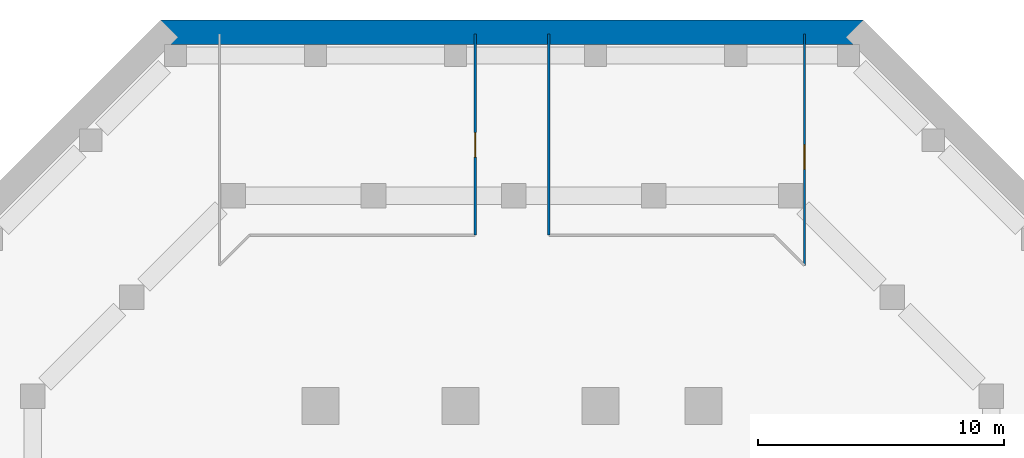
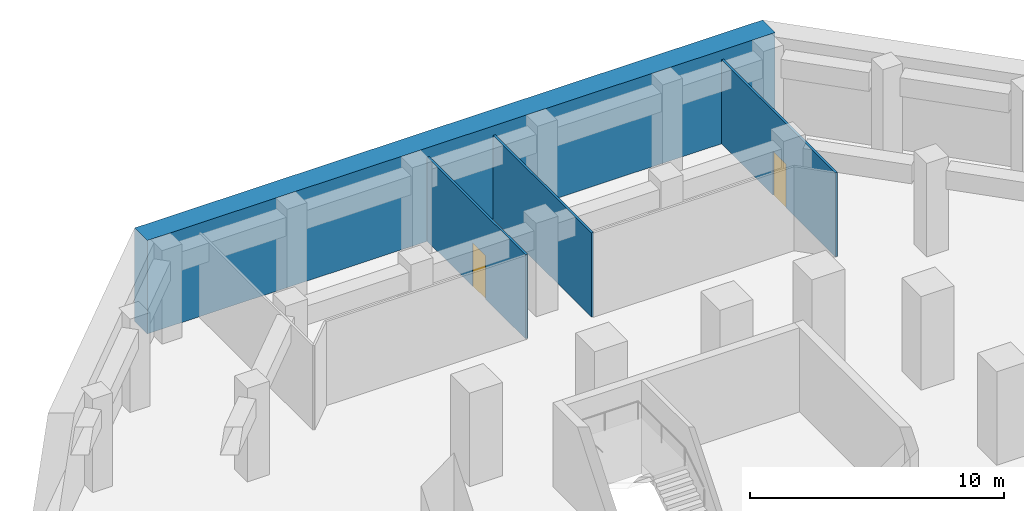
# One storey, part 12 of 14: 4 walls, 2 doors, 2 openings.
"""IFC4 building model written with IfcOpenShell, lengths in metres."""

from ifc_helpers import new_model, si_unit, direction, frame, frame_2d, origin, place, context, subcontext, project, spatial, rectangle, extrude, material, layer, layer_set, type_object, element, fill, save


model = new_model("IFC4")

# Units and contexts
model_context = context("Model", 3, precision=1e-05, world=origin(), true_north=direction((0.0, 1.0)))
body_context = subcontext(model_context, "Body", "Model", "MODEL_VIEW")
ifc_project = project(units=[si_unit("LENGTHUNIT", "METRE"), si_unit("AREAUNIT", "SQUARE_METRE"), si_unit("VOLUMEUNIT", "CUBIC_METRE"), si_unit("PLANEANGLEUNIT", "RADIAN"), si_unit("MASSUNIT", "GRAM", prefix="KILO")], contexts=[model_context])

# Site, building, storey
site_placement = place(None, origin())
site = spatial("IfcSite", under=ifc_project, at=site_placement, CompositionType="ELEMENT")
building_placement = place(site_placement, origin())
building = spatial("IfcBuilding", under=site, at=building_placement, Name="Meshkara Civic Tower", CompositionType="ELEMENT")
storey_placement = place(building_placement, frame((0.0, 0.0, -4.5)))
storey = spatial("IfcBuildingStorey", under=building, at=storey_placement, Name="B1", CompositionType="ELEMENT", Elevation=-4.5)

# Wall, opening, door
ifc_material_1 = material(Name="Corridor wall 100")
ifc_layer_1 = layer(ifc_material_1, 0.10009765625)
ifc_layer_set_1 = layer_set([ifc_layer_1], Name="Corridor wall 100")
wall_type_1 = type_object("IfcWallType", Name="Corridor wall 100", PredefinedType="PARTITIONING", material=ifc_layer_set_1)
wall_1_placement = place(storey_placement, frame((9.89990234375, 97.909912109375, 0.0), z_axis=(0.0, 0.0, 1.0), x_axis=(0.0, -1.0, 0.0)))
wall_1 = element("IfcWall", 1, at=wall_1_placement, inside=storey, type_object=wall_type_1, Name="B1-R026", PredefinedType="PARTITIONING", context=body_context, shape_type="SweptSolid", body=[
    extrude(rectangle(XDim=8.18994140625, YDim=0.10009765625, at=frame_2d((4.094970703125, 0.0))), origin(), (0.0, 0.0, 1.0), 4.050048828125),
])
opening_1_placement = place(wall_1_placement, frame((4.02001953125, 0.0, 0.0)))
opening_1 = element("IfcOpeningElement", 2, at=opening_1_placement, cuts=wall_1, Name="Opening B1-P030", PredefinedType="OPENING", context=body_context, shape_type="SweptSolid", body=[
    extrude(rectangle(XDim=1.0, YDim=2.10009765625, at=frame_2d((0.5, 1.050048828125))), frame((0.0, 0.06005859375, 0.0), z_axis=(0.0, -1.0, 0.0), x_axis=(1.0, 0.0, 0.0)), (0.0, 0.0, 1.0), 0.1201171875),
])
ifc_material_2 = material(Name="Door 1000 x 2100")
door_type = type_object("IfcDoorType", Name="Door 1000 x 2100", OperationType="SINGLE_SWING_LEFT", PredefinedType="DOOR", material=ifc_material_2)
door_1_placement = place(opening_1_placement, origin())
door_1 = element("IfcDoor", 3, at=door_1_placement, inside=storey, type_object=door_type, Name="B1-P030", OperationType="SINGLE_SWING_RIGHT", OverallHeight=2.10009765625, OverallWidth=1.0, PredefinedType="DOOR", context=body_context, shape_type="SweptSolid", body=[
    extrude(rectangle(XDim=1.0, YDim=2.10009765625, at=frame_2d((0.5, 1.050048828125))), frame((0.0, 0.02490234375, 0.0), z_axis=(0.0, -1.0, 0.0), x_axis=(1.0, 0.0, 0.0)), (0.0, 0.0, 1.0), 0.050048828125),
])
fill(opening_1, door_1)

# Wall
wall_2_placement = place(storey_placement, frame((12.89990234375, 89.719970703125, 0.0), z_axis=(0.0, 0.0, 1.0), x_axis=(0.0, 1.0, 0.0)))
element("IfcWall", 4, at=wall_2_placement, inside=storey, type_object=wall_type_1, Name="B1-R035", PredefinedType="PARTITIONING", context=body_context, shape_type="SweptSolid", body=[
    extrude(rectangle(XDim=8.18994140625, YDim=0.10009765625, at=frame_2d((4.094970703125, 0.0))), origin(), (0.0, 0.0, 1.0), 4.050048828125),
])

# Wall, opening, door
wall_3_placement = place(storey_placement, frame((23.300048828125, 97.909912109375, 0.0), z_axis=(0.0, 0.0, 1.0), x_axis=(0.0, -1.0, 0.0)))
wall_3 = element("IfcWall", 5, at=wall_3_placement, inside=storey, type_object=wall_type_1, Name="B1-R045", PredefinedType="PARTITIONING", context=body_context, shape_type="SweptSolid", body=[
    extrude(rectangle(XDim=9.41796875, YDim=0.10009765625, at=frame_2d((4.708984375, 0.0))), origin(), (0.0, 0.0, 1.0), 4.050048828125),
])
opening_2_placement = place(wall_3_placement, frame((4.52001953125, 0.0, 0.0)))
opening_2 = element("IfcOpeningElement", 6, at=opening_2_placement, cuts=wall_3, Name="Opening B1-P031", PredefinedType="OPENING", context=body_context, shape_type="SweptSolid", body=[
    extrude(rectangle(XDim=1.0, YDim=2.10009765625, at=frame_2d((0.5, 1.050048828125))), frame((0.0, 0.06005859375, 0.0), z_axis=(0.0, -1.0, 0.0), x_axis=(1.0, 0.0, 0.0)), (0.0, 0.0, 1.0), 0.1201171875),
])
door_2_placement = place(opening_2_placement, origin())
door_2 = element("IfcDoor", 7, at=door_2_placement, inside=storey, type_object=door_type, Name="B1-P031", OperationType="SINGLE_SWING_LEFT", OverallHeight=2.10009765625, OverallWidth=1.0, PredefinedType="DOOR", context=body_context, shape_type="SweptSolid", body=[
    extrude(rectangle(XDim=1.0, YDim=2.10009765625, at=frame_2d((0.5, 1.050048828125))), frame((0.0, 0.02490234375, 0.0), z_axis=(0.0, -1.0, 0.0), x_axis=(1.0, 0.0, 0.0)), (0.0, 0.0, 1.0), 0.050048828125),
])
fill(opening_2, door_2)

# Wall
ifc_material_3 = material(Name="Concrete C50", Category="concrete")
ifc_layer_2 = layer(ifc_material_3, 1.0)
ifc_layer_set_2 = layer_set([ifc_layer_2], Name="Diaphragm wall 1000 C50")
wall_type_2 = type_object("IfcWallType", Name="Diaphragm wall 1000 C50", PredefinedType="SOLIDWALL", material=ifc_layer_set_2)
wall_4_placement = place(storey_placement, frame((-2.897216796875, 97.969970703125, 0.0), z_axis=(0.0, 0.0, 1.0), x_axis=(1.0, 0.0, 0.0)))
element("IfcWall", 8, at=wall_4_placement, inside=storey, type_object=wall_type_2, Name="Basement perimeter wall", PredefinedType="SOLIDWALL", context=body_context, shape_type="SweptSolid", body=[
    extrude(rectangle(XDim=28.594482421875, YDim=1.0, at=frame_2d((14.29736328125, 0.0))), origin(), (0.0, 0.0, 1.0), 4.5),
])

save(model, "model.ifc")
